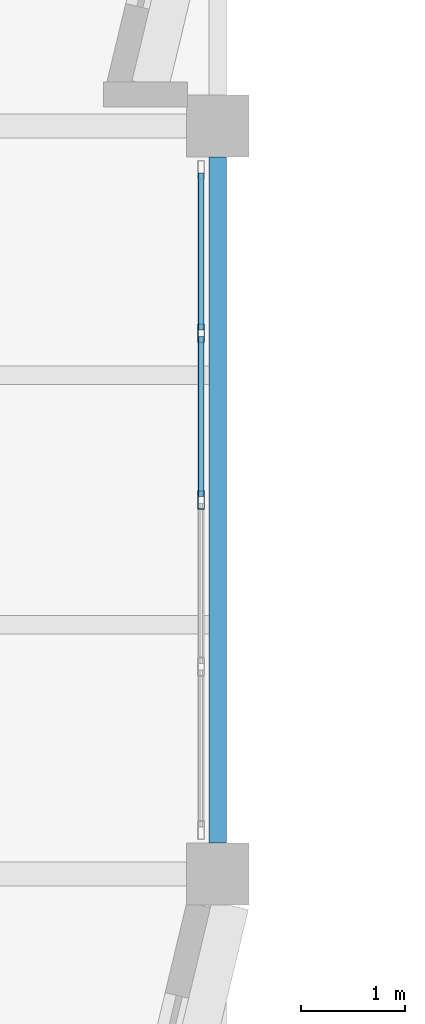
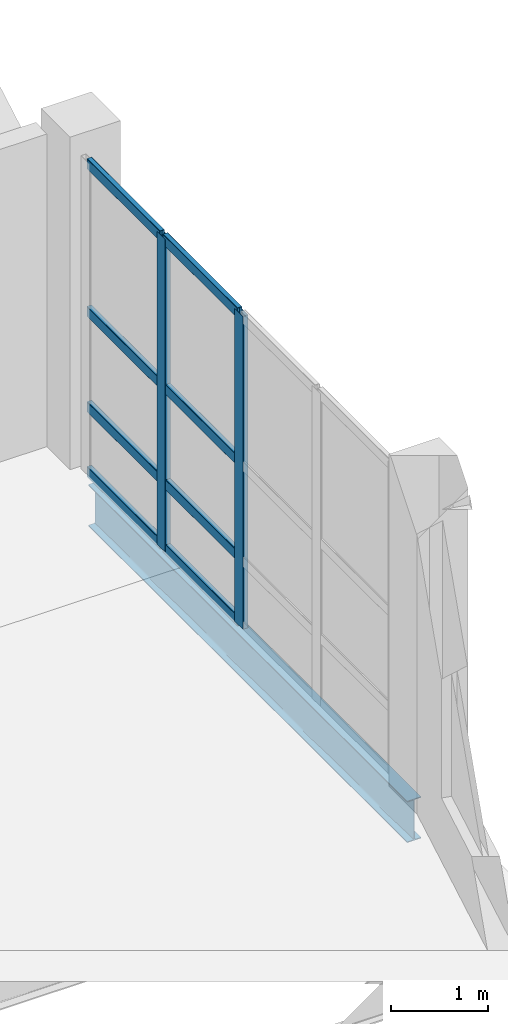
# One storey, part 30 of 94: 10 members, 1 beam, 1 element without a shape of its own.
"""IFC4 building model written with IfcOpenShell, lengths in metres."""

from ifc_helpers import new_model, si_unit, direction, frame, origin, origin_2d, place, context, subcontext, project, spatial, hollow_rectangle, i_section, extrude, material, material_profile, profile_set, type_object, element, aggregate, save


model = new_model("IFC4")

# Units and contexts
model_context = context("Model", 3, precision=1e-05, world=origin(), true_north=direction((0.0, 1.0)))
body_context = subcontext(model_context, "Body", "Model", "MODEL_VIEW")
ifc_project = project(units=[si_unit("LENGTHUNIT", "METRE"), si_unit("AREAUNIT", "SQUARE_METRE"), si_unit("VOLUMEUNIT", "CUBIC_METRE"), si_unit("PLANEANGLEUNIT", "RADIAN"), si_unit("MASSUNIT", "GRAM", prefix="KILO")], contexts=[model_context])

# Site, building, storey
site_placement = place(None, origin())
site = spatial("IfcSite", under=ifc_project, at=site_placement, CompositionType="ELEMENT")
building_placement = place(site_placement, origin())
building = spatial("IfcBuilding", under=site, at=building_placement, Name="Kalmorath City Hall", CompositionType="ELEMENT")
storey_placement = place(building_placement, frame((0.0, 0.0, 14.699951171875)))
storey = spatial("IfcBuildingStorey", under=building, at=storey_placement, Name="L03", CompositionType="ELEMENT", Elevation=14.699951171875)

# Curtain wall, members
ifc_material_1 = material(Name="Anodised aluminium and laminated glass", Category="aluminium")
curtain_wall_type = type_object("IfcCurtainWallType", Name="Unitised hurricane curtain wall 6420x3950 M1600", PredefinedType="NOTDEFINED", material=ifc_material_1)
curtain_wall_placement = place(storey_placement, origin())
curtain_wall = element("IfcCurtainWall", 1, at=curtain_wall_placement, inside=storey, type_object=curtain_wall_type, Name="L03 curtain wall CW-64X40M16 #153", PredefinedType="NOTDEFINED")
ifc_material_2 = material(Name="Anodised aluminium framing", Category="aluminium")
ifc_material_profile_1 = material_profile(ifc_material_2, hollow_rectangle(XDim=0.06494140625, YDim=0.179931640625, WallThickness=0.00390625, InnerFilletRadius=0.00390625, OuterFilletRadius=0.008056640625, at=origin_2d()), Name="ALU-MUL-180X65X4")
ifc_profile_set_1 = profile_set([ifc_material_profile_1], Name="Anodised aluminium framing")
member_type_1 = type_object("IfcMemberType", Name="Curtain-wall courtyard mullion 180x65", PredefinedType="MULLION", material=ifc_profile_set_1)
member_1_placement = place(storey_placement, frame((28.639892578125, 62.804931640625, 0.0), z_axis=(0.0, 0.0, 1.0), x_axis=(1.0, 0.0, 0.0)))
member_1 = element("IfcMember", 2, at=member_1_placement, type_object=member_type_1, Name="CW-64X40M16 mullion 2", PredefinedType="MULLION", context=body_context, shape_type="SweptSolid", body=[
    extrude(hollow_rectangle(XDim=0.06494140625, YDim=0.179931640625, WallThickness=0.00390625, InnerFilletRadius=0.00390625, OuterFilletRadius=0.008056640625, at=origin_2d()), origin(), (0.0, 0.0, 1.0), 3.949951171875),
])
member_2_placement = place(storey_placement, frame((28.639892578125, 61.199951171875, 0.0), z_axis=(0.0, 0.0, 1.0), x_axis=(1.0, 0.0, 0.0)))
member_2 = element("IfcMember", 3, at=member_2_placement, type_object=member_type_1, Name="CW-64X40M16 mullion 3", PredefinedType="MULLION", context=body_context, shape_type="SweptSolid", body=[
    extrude(hollow_rectangle(XDim=0.06494140625, YDim=0.179931640625, WallThickness=0.00390625, InnerFilletRadius=0.00390625, OuterFilletRadius=0.008056640625, at=origin_2d()), origin(), (0.0, 0.0, 1.0), 3.949951171875),
])
ifc_material_3 = material(Name="Anodised aluminium framing", Category="aluminium")
ifc_material_profile_2 = material_profile(ifc_material_3, hollow_rectangle(XDim=0.06005859375, YDim=0.1298828125, WallThickness=0.00341796875, InnerFilletRadius=0.00341796875, OuterFilletRadius=0.007080078125, at=origin_2d()), Name="ALU-TRN-130X60X3.5")
ifc_profile_set_2 = profile_set([ifc_material_profile_2], Name="Anodised aluminium framing")
member_type_2 = type_object("IfcMemberType", Name="Curtain-wall courtyard transom 130x60", PredefinedType="USERDEFINED", material=ifc_profile_set_2)
member_3_placement = place(storey_placement, frame((28.639892578125, 64.344970703125, 0.030029296875), z_axis=(0.0, -1.0, 0.0), x_axis=(1.0, 0.0, 0.0)))
member_3 = element("IfcMember", 4, at=member_3_placement, type_object=member_type_2, Name="CW-64X40M16 transom 1.1", ObjectType="TRANSOM", PredefinedType="USERDEFINED", context=body_context, shape_type="SweptSolid", body=[
    extrude(hollow_rectangle(XDim=0.06005859375, YDim=0.1298828125, WallThickness=0.00341796875, InnerFilletRadius=0.00341796875, OuterFilletRadius=0.007080078125, at=origin_2d()), origin(), (0.0, 0.0, 1.0), 1.507568359375),
])
member_4_placement = place(storey_placement, frame((28.639892578125, 64.344970703125, 0.85009765625), z_axis=(0.0, -1.0, 0.0), x_axis=(1.0, 0.0, 0.0)))
member_4 = element("IfcMember", 5, at=member_4_placement, type_object=member_type_2, Name="CW-64X40M16 transom 1.2", ObjectType="TRANSOM", PredefinedType="USERDEFINED", context=body_context, shape_type="SweptSolid", body=[
    extrude(hollow_rectangle(XDim=0.06005859375, YDim=0.1298828125, WallThickness=0.00341796875, InnerFilletRadius=0.00341796875, OuterFilletRadius=0.007080078125, at=origin_2d()), origin(), (0.0, 0.0, 1.0), 1.507568359375),
])
member_5_placement = place(storey_placement, frame((28.639892578125, 64.344970703125, 2.053955078125), z_axis=(0.0, -1.0, 0.0), x_axis=(1.0, 0.0, 0.0)))
member_5 = element("IfcMember", 6, at=member_5_placement, type_object=member_type_2, Name="CW-64X40M16 transom 1.3", ObjectType="TRANSOM", PredefinedType="USERDEFINED", context=body_context, shape_type="SweptSolid", body=[
    extrude(hollow_rectangle(XDim=0.06005859375, YDim=0.1298828125, WallThickness=0.00341796875, InnerFilletRadius=0.00341796875, OuterFilletRadius=0.007080078125, at=origin_2d()), origin(), (0.0, 0.0, 1.0), 1.507568359375),
])
member_6_placement = place(storey_placement, frame((28.639892578125, 64.344970703125, 3.920166015625), z_axis=(0.0, -1.0, 0.0), x_axis=(1.0, 0.0, 0.0)))
member_6 = element("IfcMember", 7, at=member_6_placement, type_object=member_type_2, Name="CW-64X40M16 transom 1.4", ObjectType="TRANSOM", PredefinedType="USERDEFINED", context=body_context, shape_type="SweptSolid", body=[
    extrude(hollow_rectangle(XDim=0.06005859375, YDim=0.1298828125, WallThickness=0.00341796875, InnerFilletRadius=0.00341796875, OuterFilletRadius=0.007080078125, at=origin_2d()), origin(), (0.0, 0.0, 1.0), 1.507568359375),
])
member_7_placement = place(storey_placement, frame((28.639892578125, 62.7724609375, 0.030029296875), z_axis=(0.0, -1.0, 0.0), x_axis=(1.0, 0.0, 0.0)))
member_7 = element("IfcMember", 8, at=member_7_placement, type_object=member_type_2, Name="CW-64X40M16 transom 2.1", ObjectType="TRANSOM", PredefinedType="USERDEFINED", context=body_context, shape_type="SweptSolid", body=[
    extrude(hollow_rectangle(XDim=0.06005859375, YDim=0.1298828125, WallThickness=0.00341796875, InnerFilletRadius=0.00341796875, OuterFilletRadius=0.007080078125, at=origin_2d()), origin(), (0.0, 0.0, 1.0), 1.5400390625),
])
member_8_placement = place(storey_placement, frame((28.639892578125, 62.7724609375, 0.85009765625), z_axis=(0.0, -1.0, 0.0), x_axis=(1.0, 0.0, 0.0)))
member_8 = element("IfcMember", 9, at=member_8_placement, type_object=member_type_2, Name="CW-64X40M16 transom 2.2", ObjectType="TRANSOM", PredefinedType="USERDEFINED", context=body_context, shape_type="SweptSolid", body=[
    extrude(hollow_rectangle(XDim=0.06005859375, YDim=0.1298828125, WallThickness=0.00341796875, InnerFilletRadius=0.00341796875, OuterFilletRadius=0.007080078125, at=origin_2d()), origin(), (0.0, 0.0, 1.0), 1.5400390625),
])
member_9_placement = place(storey_placement, frame((28.639892578125, 62.7724609375, 2.053955078125), z_axis=(0.0, -1.0, 0.0), x_axis=(1.0, 0.0, 0.0)))
member_9 = element("IfcMember", 10, at=member_9_placement, type_object=member_type_2, Name="CW-64X40M16 transom 2.3", ObjectType="TRANSOM", PredefinedType="USERDEFINED", context=body_context, shape_type="SweptSolid", body=[
    extrude(hollow_rectangle(XDim=0.06005859375, YDim=0.1298828125, WallThickness=0.00341796875, InnerFilletRadius=0.00341796875, OuterFilletRadius=0.007080078125, at=origin_2d()), origin(), (0.0, 0.0, 1.0), 1.5400390625),
])
member_10_placement = place(storey_placement, frame((28.639892578125, 62.7724609375, 3.920166015625), z_axis=(0.0, -1.0, 0.0), x_axis=(1.0, 0.0, 0.0)))
member_10 = element("IfcMember", 11, at=member_10_placement, type_object=member_type_2, Name="CW-64X40M16 transom 2.4", ObjectType="TRANSOM", PredefinedType="USERDEFINED", context=body_context, shape_type="SweptSolid", body=[
    extrude(hollow_rectangle(XDim=0.06005859375, YDim=0.1298828125, WallThickness=0.00341796875, InnerFilletRadius=0.00341796875, OuterFilletRadius=0.007080078125, at=origin_2d()), origin(), (0.0, 0.0, 1.0), 1.5400390625),
])
aggregate(curtain_wall, [member_1, member_2, member_3, member_4, member_5, member_6, member_7, member_8, member_9, member_10])

# Beam
ifc_material_4 = material(Name="Steel ASTM A992 Grade 50", Category="steel")
ifc_material_profile_3 = material_profile(ifc_material_4, i_section(OverallWidth=0.1650390625, OverallDepth=0.52490234375, WebThickness=0.0087890625, FlangeThickness=0.011474609375, FilletRadius=0.014892578125, at=origin_2d()), Name="W21X44")
ifc_profile_set_3 = profile_set([ifc_material_profile_3], Name="Steel ASTM A992 Grade 50")
beam_type = type_object("IfcBeamType", Name="Steel spandrel beam W21X44", PredefinedType="SPANDREL", material=ifc_profile_set_3)
beam_placement = place(storey_placement, frame((28.800048828125, 57.89990234375, -0.5263671875), z_axis=(0.0, 1.0, 0.0), x_axis=(-1.0, 0.0, 0.0)))
element("IfcBeam", 12, at=beam_placement, inside=storey, type_object=beam_type, Name="L03 girder SB4 Y5/9-10", PredefinedType="SPANDREL", context=body_context, shape_type="SweptSolid", body=[
    extrude(i_section(OverallWidth=0.1650390625, OverallDepth=0.52490234375, WebThickness=0.0087890625, FlangeThickness=0.011474609375, FilletRadius=0.014892578125, at=origin_2d()), origin(), (0.0, 0.0, 1.0), 6.60009765625),
])

save(model, "model.ifc")
